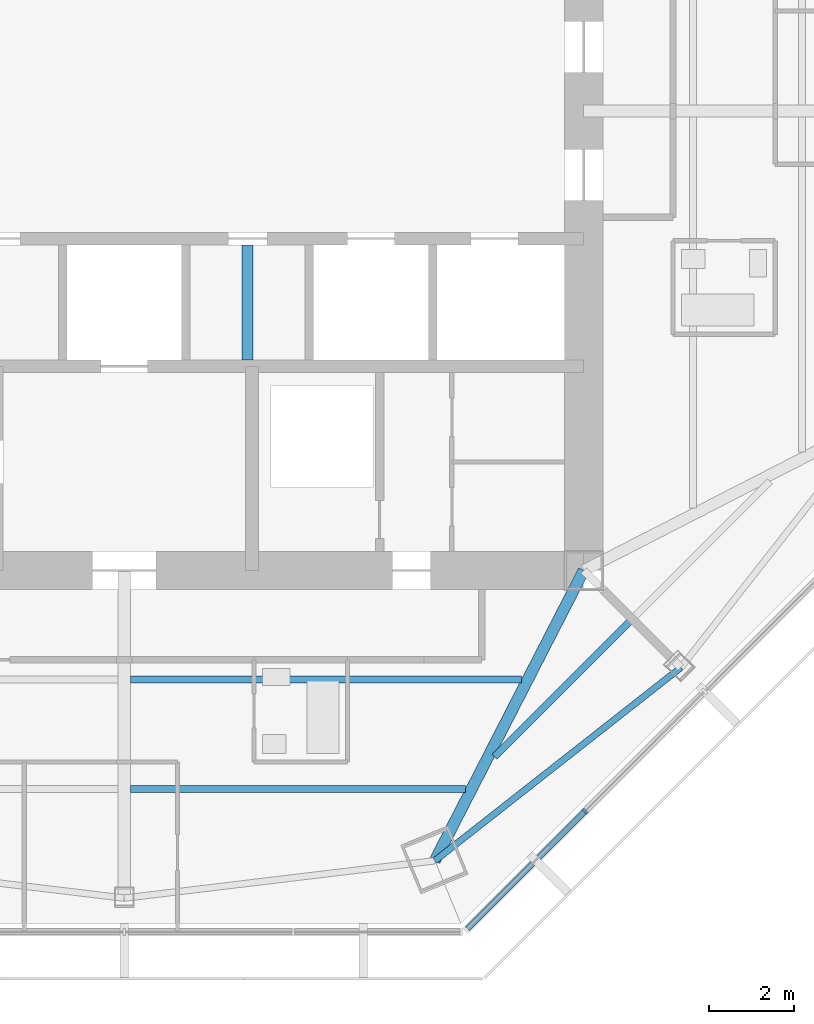
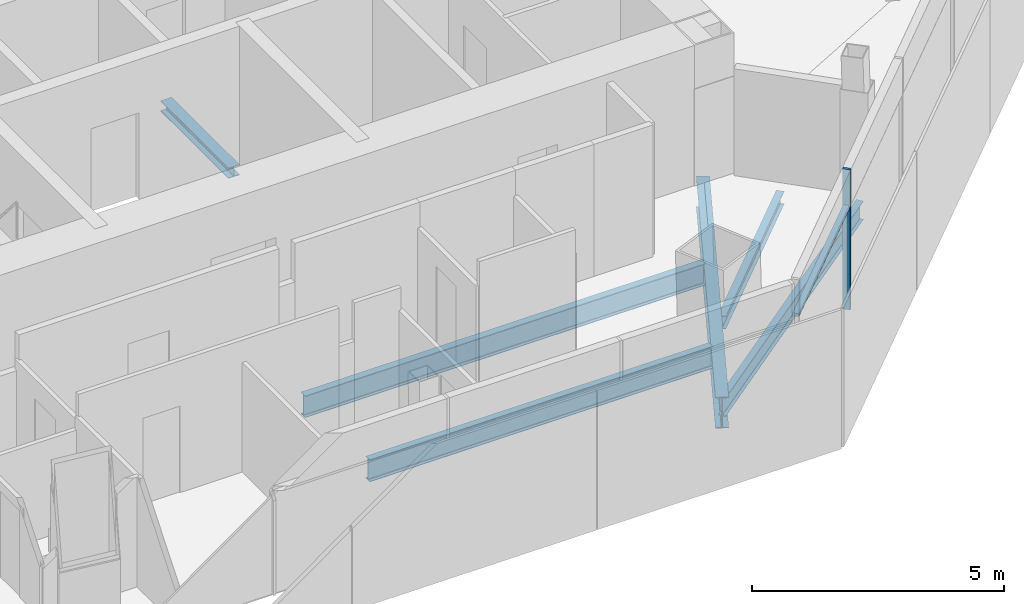
# One storey, part 3 of 15: 6 beams, 2 members, 1 element without a shape of its own.
"""IFC4 building model written with IfcOpenShell, lengths in metres."""

from ifc_helpers import new_model, si_unit, direction, frame, origin, origin_2d, place, context, subcontext, project, spatial, rectangle, i_section, extrude, source, transform, mapped, material, material_profile, profile_set, type_object, type_shapes, element, aggregate, save


model = new_model("IFC4")

# Units and contexts
model_context = context("Model", 3, precision=1e-05, world=origin(), true_north=direction((0.0, 1.0)))
body_context = subcontext(model_context, "Body", "Model", "MODEL_VIEW")
ifc_project = project(units=[si_unit("LENGTHUNIT", "METRE"), si_unit("AREAUNIT", "SQUARE_METRE"), si_unit("VOLUMEUNIT", "CUBIC_METRE"), si_unit("PLANEANGLEUNIT", "RADIAN"), si_unit("MASSUNIT", "GRAM", prefix="KILO")], contexts=[model_context])

# Site, building, storey
site_placement = place(None, origin())
site = spatial("IfcSite", under=ifc_project, at=site_placement, CompositionType="ELEMENT")
building_placement = place(site_placement, origin())
building = spatial("IfcBuilding", under=site, at=building_placement, Name="Mashrafa Tower", CompositionType="ELEMENT")
storey_placement = place(building_placement, frame((0.0, 0.0, 308.199951171875)))
storey = spatial("IfcBuildingStorey", under=building, at=storey_placement, Name="L76", CompositionType="ELEMENT", Elevation=308.199951171875)

# Beams
ifc_material_1 = material(Name="Steel ASTM A992", Category="steel")
ifc_material_profile_1 = material_profile(ifc_material_1, i_section(OverallWidth=0.164794921875, OverallDepth=0.309814453125, WebThickness=0.005859375, FlangeThickness=0.009765625, FilletRadius=0.007568359375, at=origin_2d()), Name="W12X26")
ifc_profile_set_1 = profile_set([ifc_material_profile_1], Name="Steel ASTM A992")
beam_type_1 = type_object("IfcBeamType", Name="Beam W12X26", PredefinedType="BEAM", material=ifc_profile_set_1)
beam_1_placement = place(storey_placement, frame((11.87841796875, -12.00439453125, -0.35498046875), z_axis=(-0.707106781187, -0.707106781187, 0.0), x_axis=(0.707106781187, -0.707106781187, 0.0)))
element("IfcBeam", 1, at=beam_1_placement, inside=storey, type_object=beam_type_1, Name="Floor beam L76 018", PredefinedType="BEAM", context=body_context, shape_type="SweptSolid", body=[
    extrude(i_section(OverallWidth=0.164794921875, OverallDepth=0.309814453125, WebThickness=0.005859375, FlangeThickness=0.009765625, FilletRadius=0.007568359375, at=origin_2d()), origin(), (0.0, 0.0, 1.0), 4.48974609375),
])
ifc_material_2 = material(Name="Steel ASTM A992", Category="steel")
ifc_material_profile_2 = material_profile(ifc_material_2, i_section(OverallWidth=0.15234375, OverallDepth=0.449462890625, WebThickness=0.007568359375, FlangeThickness=0.0107421875, FilletRadius=0.01025390625, at=origin_2d()), Name="W18X35")
ifc_profile_set_2 = profile_set([ifc_material_profile_2], Name="Steel ASTM A992")
beam_type_2 = type_object("IfcBeamType", Name="Beam W18X35", PredefinedType="BEAM", material=ifc_profile_set_2)
beam_2_placement = place(storey_placement, frame((7.2998046875, -17.62353515625, -0.4248046875), z_axis=(0.786515326254, 0.617570758349, 0.0), x_axis=(-0.617570758349, 0.786515326254, 0.0)))
element("IfcBeam", 2, at=beam_2_placement, inside=storey, type_object=beam_type_2, Name="Spandrel beam L76 050", PredefinedType="BEAM", context=body_context, shape_type="SweptSolid", body=[
    extrude(i_section(OverallWidth=0.15234375, OverallDepth=0.449462890625, WebThickness=0.007568359375, FlangeThickness=0.0107421875, FilletRadius=0.01025390625, at=origin_2d()), origin(), (0.0, 0.0, 1.0), 7.3525390625),
])
ifc_material_3 = material(Name="Steel ASTM A992", Category="steel")
ifc_material_profile_3 = material_profile(ifc_material_3, i_section(OverallWidth=0.165771484375, OverallDepth=0.5283203125, WebThickness=0.009765625, FlangeThickness=0.013671875, FilletRadius=0.012939453125, at=origin_2d()), Name="W21X50")
ifc_profile_set_3 = profile_set([ifc_material_profile_3], Name="Steel ASTM A992")
beam_type_3 = type_object("IfcBeamType", Name="Beam W21X50", PredefinedType="BEAM", material=ifc_profile_set_3)
beam_3_placement = place(storey_placement, frame((8.016357421875, -15.9345703125, -0.464111328125), z_axis=(-1.0, 0.0, 0.0), x_axis=(0.0, -1.0, 0.0)))
element("IfcBeam", 3, at=beam_3_placement, inside=storey, type_object=beam_type_3, Name="Floor beam L76 015", PredefinedType="BEAM", context=body_context, shape_type="SweptSolid", body=[
    extrude(i_section(OverallWidth=0.165771484375, OverallDepth=0.5283203125, WebThickness=0.009765625, FlangeThickness=0.013671875, FilletRadius=0.012939453125, at=origin_2d()), origin(), (0.0, 0.0, 1.0), 7.870361328125),
])
beam_4_placement = place(storey_placement, frame((9.333251953125, -13.3671875, -0.464111328125), z_axis=(-1.0, 0.0, 0.0), x_axis=(0.0, -1.0, 0.0)))
element("IfcBeam", 4, at=beam_4_placement, inside=storey, type_object=beam_type_3, Name="Floor beam L76 017", PredefinedType="BEAM", context=body_context, shape_type="SweptSolid", body=[
    extrude(i_section(OverallWidth=0.165771484375, OverallDepth=0.5283203125, WebThickness=0.009765625, FlangeThickness=0.013671875, FilletRadius=0.012939453125, at=origin_2d()), origin(), (0.0, 0.0, 1.0), 9.187255859375),
])
ifc_material_4 = material(Name="Steel ASTM A992", Category="steel")
ifc_material_profile_4 = material_profile(ifc_material_4, i_section(OverallWidth=0.2666015625, OverallDepth=0.75439453125, WebThickness=0.01318359375, FlangeThickness=0.01708984375, FilletRadius=0.0166015625, at=origin_2d()), Name="W30X99")
ifc_profile_set_4 = profile_set([ifc_material_profile_4], Name="Steel ASTM A992")
beam_type_4 = type_object("IfcBeamType", Name="Beam W30X99", PredefinedType="BEAM", material=ifc_profile_set_4)
beam_5_placement = place(storey_placement, frame((10.800048828125, -10.800048828125, -0.5771484375), z_axis=(-0.456421994055, -0.889763431111, 0.0), x_axis=(0.889763431111, -0.456421994055, 0.0)))
element("IfcBeam", 5, at=beam_5_placement, inside=storey, type_object=beam_type_4, Name="Radial girder L76 034", PredefinedType="BEAM", context=body_context, shape_type="SweptSolid", body=[
    extrude(i_section(OverallWidth=0.2666015625, OverallDepth=0.75439453125, WebThickness=0.01318359375, FlangeThickness=0.01708984375, FilletRadius=0.0166015625, at=origin_2d()), origin(), (0.0, 0.0, 1.0), 7.6689453125),
])
ifc_material_5 = material(Name="Steel ASTM A992", Category="steel")
ifc_material_profile_5 = material_profile(ifc_material_5, i_section(OverallWidth=0.25390625, OverallDepth=0.25390625, WebThickness=0.008544921875, FlangeThickness=0.01416015625, FilletRadius=0.010009765625, at=origin_2d()), Name="W10X49")
ifc_profile_set_5 = profile_set([ifc_material_profile_5], Name="Steel ASTM A992")
beam_type_5 = type_object("IfcBeamType", Name="Hoistway beam W10X49", PredefinedType="BEAM", material=ifc_profile_set_5)
beam_6_placement = place(storey_placement, frame((2.89990234375, -5.85009765625, -0.326904296875), z_axis=(0.0, 1.0, 0.0), x_axis=(-1.0, 0.0, 0.0)))
element("IfcBeam", 6, at=beam_6_placement, inside=storey, type_object=beam_type_5, Name="Hoistway beam L76 08", PredefinedType="BEAM", context=body_context, shape_type="SweptSolid", body=[
    extrude(i_section(OverallWidth=0.25390625, OverallDepth=0.25390625, WebThickness=0.008544921875, FlangeThickness=0.01416015625, FilletRadius=0.010009765625, at=origin_2d()), origin(), (0.0, 0.0, 1.0), 2.7001953125),
])

# Curtain wall, members
ifc_material_6 = material(Name="Unitised aluminium curtain wall", Category="aluminium")
curtain_wall_type = type_object("IfcCurtainWallType", Name="Apartment curtain wall, zone 4 CW-D 160 deep", PredefinedType="NOTDEFINED", material=ifc_material_6)
curtain_wall_placement = place(storey_placement, origin())
curtain_wall = element("IfcCurtainWall", 7, at=curtain_wall_placement, inside=storey, type_object=curtain_wall_type, Name="Apartment curtain wall, zone 4 L76 south-east", PredefinedType="NOTDEFINED")
ifc_material_7 = material(Name="Extruded aluminium mullion", Category="aluminium")
ifc_material_profile_6 = material_profile(ifc_material_7, rectangle(XDim=0.159912109375, YDim=0.06005859375, at=origin_2d()), Name="Mullion 60x160")
ifc_profile_set_6 = profile_set([ifc_material_profile_6], Name="Extruded aluminium mullion")
member_type_1 = type_object("IfcMemberType", Name="Mullion CW-D 60 x 160", PredefinedType="MULLION", material=ifc_profile_set_6)
shared_shape_1 = source(origin(), body_context, "Body", "SweptSolid", [
    extrude(rectangle(XDim=0.159912109375, YDim=0.06005859375, at=origin_2d()), origin(), (0.0, 0.0, 1.0), 3.400146484375),
])
type_shapes(member_type_1, [shared_shape_1])
member_1_placement = place(storey_placement, frame((10.833740234375, -16.455078125, 0.0), z_axis=(0.0, 0.0, 1.0), x_axis=(-0.707106781187, 0.707106781187, 0.0)))
member_1 = element("IfcMember", 8, at=member_1_placement, type_object=member_type_1, Name="CW-D mullion 2", PredefinedType="MULLION", context=body_context, shape_type="MappedRepresentation", body=[
    mapped(shared_shape_1, transform((0.0, 0.0, 0.0))),
])
ifc_material_8 = material(Name="Extruded aluminium transom", Category="aluminium")
ifc_material_profile_7 = material_profile(ifc_material_8, rectangle(XDim=0.1279296875, YDim=0.074951171875, at=origin_2d()), Name="Transom 75x128")
ifc_profile_set_7 = profile_set([ifc_material_profile_7], Name="Extruded aluminium transom")
member_type_2 = type_object("IfcMemberType", Name="Transom CW-D 75 x 128", PredefinedType="MULLION", material=ifc_profile_set_7)
shared_shape_2 = source(origin(), body_context, "Body", "SweptSolid", [
    extrude(rectangle(XDim=0.1279296875, YDim=0.074951171875, at=origin_2d()), origin(), (0.0, 0.0, 1.0), 3.884765625),
])
type_shapes(member_type_2, [shared_shape_2])
member_2_placement = place(storey_placement, frame((8.065673828125, -19.22314453125, 2.5), z_axis=(0.707138203267, 0.70707535771, 0.0), x_axis=(-0.70707535771, 0.707138203267, 0.0)))
member_2 = element("IfcMember", 9, at=member_2_placement, type_object=member_type_2, Name="CW-D transom 1", PredefinedType="MULLION", context=body_context, shape_type="MappedRepresentation", body=[
    mapped(shared_shape_2, transform((0.0, 0.0, 0.0))),
])
aggregate(curtain_wall, [member_1, member_2])

save(model, "model.ifc")
